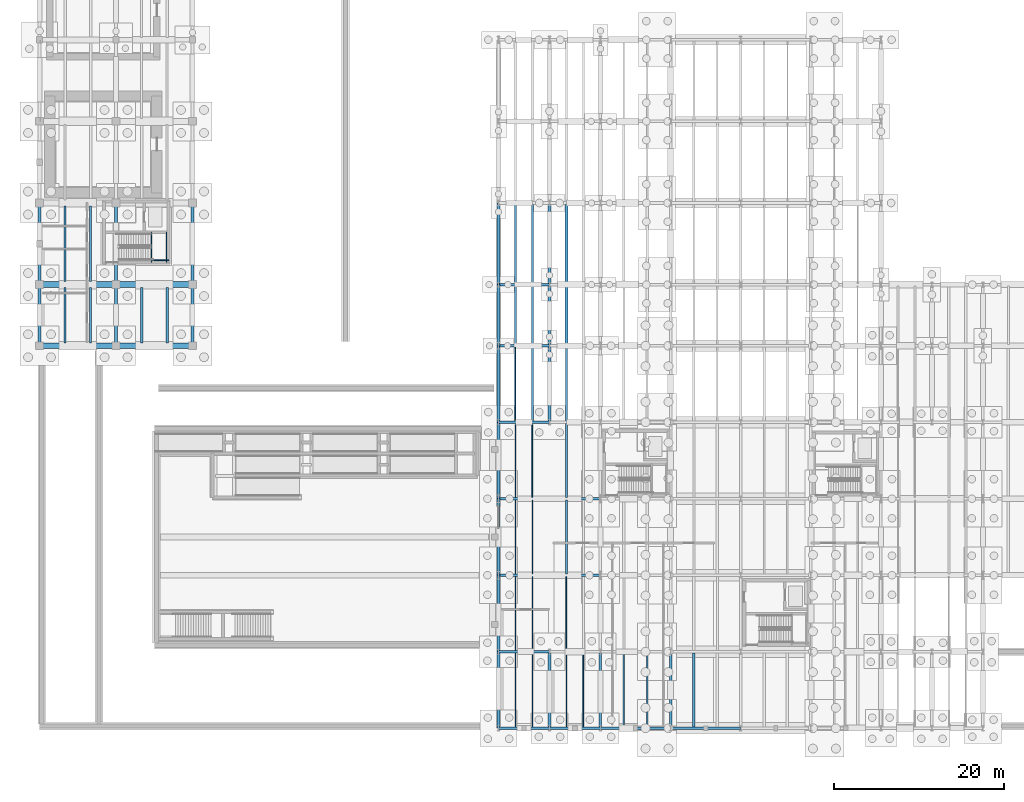
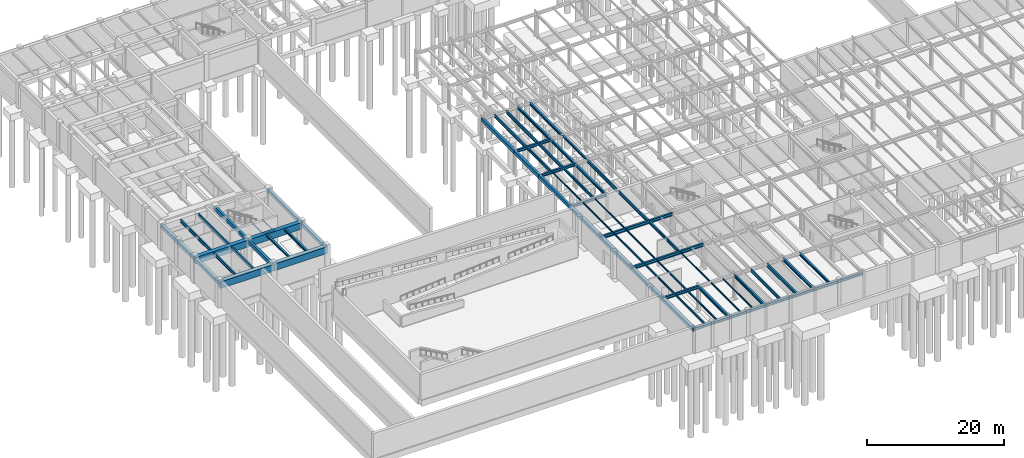
# One storey, part 28 of 59: 67 beams.
"""IFC4 building model written with IfcOpenShell, lengths in metres."""

from ifc_helpers import new_model, si_unit, direction, frame, origin, origin_2d, place, context, subcontext, project, spatial, rectangle, i_section, extrude, material, material_profile, profile_set, type_object, element, save


model = new_model("IFC4")

# Units and contexts
model_context = context("Model", 3, precision=1e-05, world=origin(), true_north=direction((0.0, 1.0)))
body_context = subcontext(model_context, "Body", "Model", "MODEL_VIEW")
ifc_project = project(units=[si_unit("LENGTHUNIT", "METRE"), si_unit("AREAUNIT", "SQUARE_METRE"), si_unit("VOLUMEUNIT", "CUBIC_METRE"), si_unit("PLANEANGLEUNIT", "RADIAN"), si_unit("MASSUNIT", "GRAM", prefix="KILO")], contexts=[model_context])

# Site, building, storey
site_placement = place(None, origin())
site = spatial("IfcSite", under=ifc_project, at=site_placement, CompositionType="ELEMENT")
building_placement = place(site_placement, origin())
building = spatial("IfcBuilding", under=site, at=building_placement, Name="Montealbar Specialist Clinic", CompositionType="ELEMENT")
storey_placement = place(building_placement, frame((0.0, 0.0, -4.800048828125)))
storey = spatial("IfcBuildingStorey", under=building, at=storey_placement, Name="B01", CompositionType="ELEMENT", Elevation=-4.800048828125)

# Beams
ifc_material_1 = material(Name="Steel S355", Category="steel")
ifc_material_profile_1 = material_profile(ifc_material_1, i_section(OverallWidth=0.300048828125, OverallDepth=0.449951171875, WebThickness=0.013916015625, FlangeThickness=0.02587890625, FilletRadius=0.027099609375, at=origin_2d()), Name="HEB 450", Category="steel")
ifc_profile_set_1 = profile_set([ifc_material_profile_1], Name="Steel S355")
beam_type_1 = type_object("IfcBeamType", Name="BM-GIRD-HEB450", PredefinedType="BEAM", material=ifc_profile_set_1)
beam_1_placement = place(storey_placement, frame((60.0, 45.0, 4.255126953125), z_axis=(0.0, 1.0, 0.0), x_axis=(-1.0, 0.0, 0.0)))
element("IfcBeam", 1, at=beam_1_placement, inside=storey, type_object=beam_type_1, Name="Beam GY-B01-600-450-522", PredefinedType="BEAM", context=body_context, shape_type="SweptSolid", body=[
    extrude(i_section(OverallWidth=0.300048828125, OverallDepth=0.449951171875, WebThickness=0.013916015625, FlangeThickness=0.02587890625, FilletRadius=0.027099609375, at=origin_2d()), origin(), (0.0, 0.0, 1.0), 7.199951171875),
])
ifc_material_profile_2 = material_profile(ifc_material_1, i_section(OverallWidth=0.300048828125, OverallDepth=0.5, WebThickness=0.014404296875, FlangeThickness=0.028076171875, FilletRadius=0.027099609375, at=origin_2d()), Name="HEB 500", Category="steel")
ifc_profile_set_2 = profile_set([ifc_material_profile_2], Name="Steel S355")
beam_type_2 = type_object("IfcBeamType", Name="BM-GIRD-HEB500", PredefinedType="BEAM", material=ifc_profile_set_2)
for number, where, z_axis, x_axis, name in (
    (2, (54.0, 9.0, 4.22998046875), (1.0, 0.0, 0.0), (0.0, 1.0, 0.0), "Beam GX-B01-540-600-90"),
    (3, (54.0, 36.0, 4.22998046875), (1.0, 0.0, 0.0), (0.0, 1.0, 0.0), "Beam GX-B01-540-600-360"),
    (4, (54.0, 45.0, 4.22998046875), (1.0, 0.0, 0.0), (0.0, 1.0, 0.0), "Beam GX-B01-540-600-450"),
    (5, (54.0, 52.199951171875, 4.22998046875), (1.0, 0.0, 0.0), (0.0, 1.0, 0.0), "Beam GX-B01-540-600-522"),
):
    element("IfcBeam", number, at=place(storey_placement, frame(where, z_axis=z_axis, x_axis=x_axis)), inside=storey, type_object=beam_type_2, Name=name, PredefinedType="BEAM", context=body_context, shape_type="SweptSolid", body=[
        extrude(i_section(OverallWidth=0.300048828125, OverallDepth=0.5, WebThickness=0.014404296875, FlangeThickness=0.028076171875, FilletRadius=0.027099609375, at=origin_2d()), origin(), (0.0, 0.0, 1.0), 6.0),
    ])
for number, where, z_axis, x_axis, name in (
    (6, (60.0, 0.0, 4.22998046875), (0.0, 1.0, 0.0), (-1.0, 0.0, 0.0), "Beam GY-B01-600-0-90"),
    (7, (60.0, 36.0, 4.22998046875), (0.0, 1.0, 0.0), (-1.0, 0.0, 0.0), "Beam GY-B01-600-360-450"),
):
    element("IfcBeam", number, at=place(storey_placement, frame(where, z_axis=z_axis, x_axis=x_axis)), inside=storey, type_object=beam_type_2, Name=name, PredefinedType="BEAM", context=body_context, shape_type="SweptSolid", body=[
        extrude(i_section(OverallWidth=0.300048828125, OverallDepth=0.5, WebThickness=0.014404296875, FlangeThickness=0.028076171875, FilletRadius=0.027099609375, at=origin_2d()), origin(), (0.0, 0.0, 1.0), 9.0),
    ])
beam_2_placement = place(storey_placement, frame((60.0, 52.199951171875, 4.22998046875), z_axis=(0.0, 1.0, 0.0), x_axis=(-1.0, 0.0, 0.0)))
element("IfcBeam", 8, at=beam_2_placement, inside=storey, type_object=beam_type_2, Name="Beam GY-B01-600-522-618", PredefinedType="BEAM", context=body_context, shape_type="SweptSolid", body=[
    extrude(i_section(OverallWidth=0.300048828125, OverallDepth=0.5, WebThickness=0.014404296875, FlangeThickness=0.028076171875, FilletRadius=0.027099609375, at=origin_2d()), origin(), (0.0, 0.0, 1.0), 9.60009765625),
])
for number, where, z_axis, x_axis, name in (
    (9, (66.0, 0.0, 4.22998046875), (0.0, 1.0, 0.0), (-1.0, 0.0, 0.0), "Beam GY-B01-660-0-90"),
    (10, (74.25, 0.0, 4.22998046875), (0.0, 1.0, 0.0), (-1.0, 0.0, 0.0), "Beam GY-B01-742-0-90"),
):
    element("IfcBeam", number, at=place(storey_placement, frame(where, z_axis=z_axis, x_axis=x_axis)), inside=storey, type_object=beam_type_2, Name=name, PredefinedType="BEAM", context=body_context, shape_type="SweptSolid", body=[
        extrude(i_section(OverallWidth=0.300048828125, OverallDepth=0.5, WebThickness=0.014404296875, FlangeThickness=0.028076171875, FilletRadius=0.027099609375, at=origin_2d()), origin(), (0.0, 0.0, 1.0), 9.0),
    ])
ifc_material_profile_3 = material_profile(ifc_material_1, i_section(OverallWidth=0.300048828125, OverallDepth=0.5, WebThickness=0.014404296875, FlangeThickness=0.028076171875, FilletRadius=0.027099609375, at=origin_2d()), Name="HEB 500", Category="steel")
ifc_profile_set_3 = profile_set([ifc_material_profile_3], Name="Steel S355")
beam_type_3 = type_object("IfcBeamType", Name="BM-GIRD-HEB500-EXT", PredefinedType="BEAM", material=ifc_profile_set_3)
for number, where, z_axis, x_axis, name in (
    (11, (54.0, 0.0, 4.22998046875), (1.0, 0.0, 0.0), (0.0, 1.0, 0.0), "Beam GX-B01-540-600-0"),
    (12, (60.0, 0.0, 4.22998046875), (1.0, 0.0, 0.0), (0.0, 1.0, 0.0), "Beam GX-B01-600-660-0"),
):
    element("IfcBeam", number, at=place(storey_placement, frame(where, z_axis=z_axis, x_axis=x_axis)), inside=storey, type_object=beam_type_3, Name=name, PredefinedType="BEAM", context=body_context, shape_type="SweptSolid", body=[
        extrude(i_section(OverallWidth=0.300048828125, OverallDepth=0.5, WebThickness=0.014404296875, FlangeThickness=0.028076171875, FilletRadius=0.027099609375, at=origin_2d()), origin(), (0.0, 0.0, 1.0), 6.0),
    ])
for number, where, z_axis, x_axis, name in (
    (13, (66.0, 0.0, 4.22998046875), (1.0, 0.0, 0.0), (0.0, 1.0, 0.0), "Beam GX-B01-660-742-0"),
    (14, (74.25, 0.0, 4.22998046875), (1.0, 0.0, 0.0), (0.0, 1.0, 0.0), "Beam GX-B01-742-825-0"),
):
    element("IfcBeam", number, at=place(storey_placement, frame(where, z_axis=z_axis, x_axis=x_axis)), inside=storey, type_object=beam_type_3, Name=name, PredefinedType="BEAM", context=body_context, shape_type="SweptSolid", body=[
        extrude(i_section(OverallWidth=0.300048828125, OverallDepth=0.5, WebThickness=0.014404296875, FlangeThickness=0.028076171875, FilletRadius=0.027099609375, at=origin_2d()), origin(), (0.0, 0.0, 1.0), 8.25),
    ])
ifc_material_profile_4 = material_profile(ifc_material_1, i_section(OverallWidth=0.300048828125, OverallDepth=0.550048828125, WebThickness=0.014892578125, FlangeThickness=0.029052734375, FilletRadius=0.027099609375, at=origin_2d()), Name="HEB 550", Category="steel")
ifc_profile_set_4 = profile_set([ifc_material_profile_4], Name="Steel S355")
beam_type_4 = type_object("IfcBeamType", Name="BM-GIRD-HEB550", PredefinedType="BEAM", material=ifc_profile_set_4)
for number, where, z_axis, x_axis, name in (
    (15, (54.0, 18.0, 4.205078125), (1.0, 0.0, 0.0), (0.0, 1.0, 0.0), "Beam GX-B01-540-660-180"),
    (16, (54.0, 27.0, 4.205078125), (1.0, 0.0, 0.0), (0.0, 1.0, 0.0), "Beam GX-B01-540-660-270"),
):
    element("IfcBeam", number, at=place(storey_placement, frame(where, z_axis=z_axis, x_axis=x_axis)), inside=storey, type_object=beam_type_4, Name=name, PredefinedType="BEAM", context=body_context, shape_type="SweptSolid", body=[
        extrude(i_section(OverallWidth=0.300048828125, OverallDepth=0.550048828125, WebThickness=0.014892578125, FlangeThickness=0.029052734375, FilletRadius=0.027099609375, at=origin_2d()), origin(), (0.0, 0.0, 1.0), 12.0),
    ])
ifc_material_profile_5 = material_profile(ifc_material_1, i_section(OverallWidth=0.300048828125, OverallDepth=0.35009765625, WebThickness=0.010009765625, FlangeThickness=0.017578125, FilletRadius=0.027099609375, at=origin_2d()), Name="HEA 360", Category="steel")
ifc_profile_set_5 = profile_set([ifc_material_profile_5], Name="Steel S355")
beam_type_5 = type_object("IfcBeamType", Name="BM-JST-HEA360", PredefinedType="JOIST", material=ifc_profile_set_5)
beam_3_placement = place(storey_placement, frame((12.0, 45.35009765625, 4.26513671875), z_axis=(0.0, 1.0, 0.0), x_axis=(-1.0, 0.0, 0.0)))
element("IfcBeam", 17, at=beam_3_placement, inside=storey, type_object=beam_type_5, Name="Beam JST-B01-120-454-518", PredefinedType="JOIST", context=body_context, shape_type="SweptSolid", body=[
    extrude(i_section(OverallWidth=0.300048828125, OverallDepth=0.35009765625, WebThickness=0.010009765625, FlangeThickness=0.017578125, FilletRadius=0.027099609375, at=origin_2d()), origin(), (0.0, 0.0, 1.0), 6.5),
])
beam_4_placement = place(storey_placement, frame((62.0, 45.14990234375, 4.304931640625), z_axis=(0.0, 1.0, 0.0), x_axis=(-1.0, 0.0, 0.0)))
element("IfcBeam", 18, at=beam_4_placement, inside=storey, type_object=beam_type_5, Name="Beam JST-B01-620-452-520", PredefinedType="JOIST", context=body_context, shape_type="SweptSolid", body=[
    extrude(i_section(OverallWidth=0.300048828125, OverallDepth=0.35009765625, WebThickness=0.010009765625, FlangeThickness=0.017578125, FilletRadius=0.027099609375, at=origin_2d()), origin(), (0.0, 0.0, 1.0), 6.900146484375),
])
ifc_material_profile_6 = material_profile(ifc_material_1, i_section(OverallWidth=0.300048828125, OverallDepth=0.43994140625, WebThickness=0.011474609375, FlangeThickness=0.02099609375, FilletRadius=0.027099609375, at=origin_2d()), Name="HEA 450", Category="steel")
ifc_profile_set_6 = profile_set([ifc_material_profile_6], Name="Steel S355")
beam_type_6 = type_object("IfcBeamType", Name="BM-JST-HEA450", PredefinedType="JOIST", material=ifc_profile_set_6)
beam_5_placement = place(storey_placement, frame((15.0, 45.35009765625, 4.219970703125), z_axis=(0.0, 1.0, 0.0), x_axis=(-1.0, 0.0, 0.0)))
element("IfcBeam", 19, at=beam_5_placement, inside=storey, type_object=beam_type_6, Name="Beam JST-B01-150-454-518", PredefinedType="JOIST", context=body_context, shape_type="SweptSolid", body=[
    extrude(i_section(OverallWidth=0.300048828125, OverallDepth=0.43994140625, WebThickness=0.011474609375, FlangeThickness=0.02099609375, FilletRadius=0.027099609375, at=origin_2d()), origin(), (0.0, 0.0, 1.0), 6.5),
])
beam_6_placement = place(storey_placement, frame((62.0, 52.35009765625, 4.260009765625), z_axis=(0.0, 1.0, 0.0), x_axis=(-1.0, 0.0, 0.0)))
element("IfcBeam", 20, at=beam_6_placement, inside=storey, type_object=beam_type_6, Name="Beam JST-B01-620-524-616", PredefinedType="JOIST", context=body_context, shape_type="SweptSolid", body=[
    extrude(i_section(OverallWidth=0.300048828125, OverallDepth=0.43994140625, WebThickness=0.011474609375, FlangeThickness=0.02099609375, FilletRadius=0.027099609375, at=origin_2d()), origin(), (0.0, 0.0, 1.0), 9.2998046875),
])
beam_7_placement = place(storey_placement, frame((77.0, 0.14990234375, 4.260009765625), z_axis=(0.0, 1.0, 0.0), x_axis=(-1.0, 0.0, 0.0)))
element("IfcBeam", 21, at=beam_7_placement, inside=storey, type_object=beam_type_6, Name="Beam JST-B01-770-2-88", PredefinedType="JOIST", context=body_context, shape_type="SweptSolid", body=[
    extrude(i_section(OverallWidth=0.300048828125, OverallDepth=0.43994140625, WebThickness=0.011474609375, FlangeThickness=0.02099609375, FilletRadius=0.027099609375, at=origin_2d()), origin(), (0.0, 0.0, 1.0), 8.7001953125),
])
ifc_material_profile_7 = material_profile(ifc_material_1, i_section(OverallWidth=0.1201171875, OverallDepth=0.239990234375, WebThickness=0.006103515625, FlangeThickness=0.009765625, FilletRadius=0.014892578125, at=origin_2d()), Name="IPE 240", Category="steel")
ifc_profile_set_7 = profile_set([ifc_material_profile_7], Name="Steel S355")
beam_type_7 = type_object("IfcBeamType", Name="BM-JST-IPE240", PredefinedType="JOIST", material=ifc_profile_set_7)
for number, where, z_axis, x_axis, name in (
    (22, (58.0, 27.14990234375, 4.360107421875), (0.0, 1.0, 0.0), (-1.0, 0.0, 0.0), "Beam JST-B01-580-272-358"),
    (23, (56.0, 36.14990234375, 4.360107421875), (0.0, 1.0, 0.0), (-1.0, 0.0, 0.0), "Beam JST-B01-560-362-448"),
    (24, (64.0, 0.14990234375, 4.360107421875), (0.0, 1.0, 0.0), (-1.0, 0.0, 0.0), "Beam JST-B01-640-2-88"),
    (25, (62.0, 9.14990234375, 4.360107421875), (0.0, 1.0, 0.0), (-1.0, 0.0, 0.0), "Beam JST-B01-620-92-178"),
):
    element("IfcBeam", number, at=place(storey_placement, frame(where, z_axis=z_axis, x_axis=x_axis)), inside=storey, type_object=beam_type_7, Name=name, PredefinedType="JOIST", context=body_context, shape_type="SweptSolid", body=[
        extrude(i_section(OverallWidth=0.1201171875, OverallDepth=0.239990234375, WebThickness=0.006103515625, FlangeThickness=0.009765625, FilletRadius=0.014892578125, at=origin_2d()), origin(), (0.0, 0.0, 1.0), 8.7001953125),
    ])
ifc_material_profile_8 = material_profile(ifc_material_1, i_section(OverallWidth=0.135009765625, OverallDepth=0.27001953125, WebThickness=0.006591796875, FlangeThickness=0.01025390625, FilletRadius=0.014892578125, at=origin_2d()), Name="IPE 270", Category="steel")
ifc_profile_set_8 = profile_set([ifc_material_profile_8], Name="Steel S355")
beam_type_8 = type_object("IfcBeamType", Name="BM-JST-IPE270", PredefinedType="JOIST", material=ifc_profile_set_8)
for number, where, z_axis, x_axis, name in (
    (26, (58.0, 18.14990234375, 4.344970703125), (0.0, 1.0, 0.0), (-1.0, 0.0, 0.0), "Beam JST-B01-580-182-268"),
    (27, (56.0, 27.14990234375, 4.344970703125), (0.0, 1.0, 0.0), (-1.0, 0.0, 0.0), "Beam JST-B01-560-272-358"),
    (28, (62.0, 0.14990234375, 4.344970703125), (0.0, 1.0, 0.0), (-1.0, 0.0, 0.0), "Beam JST-B01-620-2-88"),
):
    element("IfcBeam", number, at=place(storey_placement, frame(where, z_axis=z_axis, x_axis=x_axis)), inside=storey, type_object=beam_type_8, Name=name, PredefinedType="JOIST", context=body_context, shape_type="SweptSolid", body=[
        extrude(i_section(OverallWidth=0.135009765625, OverallDepth=0.27001953125, WebThickness=0.006591796875, FlangeThickness=0.01025390625, FilletRadius=0.014892578125, at=origin_2d()), origin(), (0.0, 0.0, 1.0), 8.7001953125),
    ])
ifc_material_profile_9 = material_profile(ifc_material_1, i_section(OverallWidth=0.14990234375, OverallDepth=0.300048828125, WebThickness=0.007080078125, FlangeThickness=0.0107421875, FilletRadius=0.014892578125, at=origin_2d()), Name="IPE 300", Category="steel")
ifc_profile_set_9 = profile_set([ifc_material_profile_9], Name="Steel S355")
beam_type_9 = type_object("IfcBeamType", Name="BM-JST-IPE300", PredefinedType="JOIST", material=ifc_profile_set_9)
for number, where, z_axis, x_axis, name in (
    (29, (58.0, 9.14990234375, 4.330078125), (0.0, 1.0, 0.0), (-1.0, 0.0, 0.0), "Beam JST-B01-580-92-178"),
    (30, (56.0, 18.14990234375, 4.330078125), (0.0, 1.0, 0.0), (-1.0, 0.0, 0.0), "Beam JST-B01-560-182-268"),
):
    element("IfcBeam", number, at=place(storey_placement, frame(where, z_axis=z_axis, x_axis=x_axis)), inside=storey, type_object=beam_type_9, Name=name, PredefinedType="JOIST", context=body_context, shape_type="SweptSolid", body=[
        extrude(i_section(OverallWidth=0.14990234375, OverallDepth=0.300048828125, WebThickness=0.007080078125, FlangeThickness=0.0107421875, FilletRadius=0.014892578125, at=origin_2d()), origin(), (0.0, 0.0, 1.0), 8.7001953125),
    ])
ifc_material_profile_10 = material_profile(ifc_material_1, i_section(OverallWidth=0.159912109375, OverallDepth=0.330078125, WebThickness=0.007568359375, FlangeThickness=0.011474609375, FilletRadius=0.01806640625, at=origin_2d()), Name="IPE 330", Category="steel")
ifc_profile_set_10 = profile_set([ifc_material_profile_10], Name="Steel S355")
beam_type_10 = type_object("IfcBeamType", Name="BM-JST-IPE330", PredefinedType="JOIST", material=ifc_profile_set_10)
for number, where, z_axis, x_axis, name in (
    (31, (58.0, 0.14990234375, 4.31494140625), (0.0, 1.0, 0.0), (-1.0, 0.0, 0.0), "Beam JST-B01-580-2-88"),
    (32, (56.0, 9.14990234375, 4.31494140625), (0.0, 1.0, 0.0), (-1.0, 0.0, 0.0), "Beam JST-B01-560-92-178"),
):
    element("IfcBeam", number, at=place(storey_placement, frame(where, z_axis=z_axis, x_axis=x_axis)), inside=storey, type_object=beam_type_10, Name=name, PredefinedType="JOIST", context=body_context, shape_type="SweptSolid", body=[
        extrude(i_section(OverallWidth=0.159912109375, OverallDepth=0.330078125, WebThickness=0.007568359375, FlangeThickness=0.011474609375, FilletRadius=0.01806640625, at=origin_2d()), origin(), (0.0, 0.0, 1.0), 8.7001953125),
    ])
ifc_material_profile_11 = material_profile(ifc_material_1, i_section(OverallWidth=0.169921875, OverallDepth=0.360107421875, WebThickness=0.008056640625, FlangeThickness=0.0126953125, FilletRadius=0.01806640625, at=origin_2d()), Name="IPE 360", Category="steel")
ifc_profile_set_11 = profile_set([ifc_material_profile_11], Name="Steel S355")
beam_type_11 = type_object("IfcBeamType", Name="BM-JST-IPE360", PredefinedType="JOIST", material=ifc_profile_set_11)
beam_8_placement = place(storey_placement, frame((56.0, 0.14990234375, 4.300048828125), z_axis=(0.0, 1.0, 0.0), x_axis=(-1.0, 0.0, 0.0)))
element("IfcBeam", 33, at=beam_8_placement, inside=storey, type_object=beam_type_11, Name="Beam JST-B01-560-2-88", PredefinedType="JOIST", context=body_context, shape_type="SweptSolid", body=[
    extrude(i_section(OverallWidth=0.169921875, OverallDepth=0.360107421875, WebThickness=0.008056640625, FlangeThickness=0.0126953125, FilletRadius=0.01806640625, at=origin_2d()), origin(), (0.0, 0.0, 1.0), 8.7001953125),
])
ifc_material_profile_12 = material_profile(ifc_material_1, i_section(OverallWidth=0.199951171875, OverallDepth=0.5, WebThickness=0.01025390625, FlangeThickness=0.01611328125, FilletRadius=0.02099609375, at=origin_2d()), Name="IPE 500", Category="steel")
ifc_profile_set_12 = profile_set([ifc_material_profile_12], Name="Steel S355")
beam_type_12 = type_object("IfcBeamType", Name="BM-JST-IPE500", PredefinedType="JOIST", material=ifc_profile_set_12)
beam_9_placement = place(storey_placement, frame((3.0, 45.35009765625, 4.18994140625), z_axis=(0.0, 1.0, 0.0), x_axis=(-1.0, 0.0, 0.0)))
element("IfcBeam", 34, at=beam_9_placement, inside=storey, type_object=beam_type_12, Name="Beam JST-B01-30-454-518", PredefinedType="JOIST", context=body_context, shape_type="SweptSolid", body=[
    extrude(i_section(OverallWidth=0.199951171875, OverallDepth=0.5, WebThickness=0.01025390625, FlangeThickness=0.01611328125, FilletRadius=0.02099609375, at=origin_2d()), origin(), (0.0, 0.0, 1.0), 6.5),
])
beam_10_placement = place(storey_placement, frame((58.0, 36.14990234375, 4.22998046875), z_axis=(0.0, 1.0, 0.0), x_axis=(-1.0, 0.0, 0.0)))
element("IfcBeam", 35, at=beam_10_placement, inside=storey, type_object=beam_type_12, Name="Beam JST-B01-580-362-448", PredefinedType="JOIST", context=body_context, shape_type="SweptSolid", body=[
    extrude(i_section(OverallWidth=0.199951171875, OverallDepth=0.5, WebThickness=0.01025390625, FlangeThickness=0.01611328125, FilletRadius=0.02099609375, at=origin_2d()), origin(), (0.0, 0.0, 1.0), 8.7001953125),
])
beam_11_placement = place(storey_placement, frame((56.0, 45.14990234375, 4.22998046875), z_axis=(0.0, 1.0, 0.0), x_axis=(-1.0, 0.0, 0.0)))
element("IfcBeam", 36, at=beam_11_placement, inside=storey, type_object=beam_type_12, Name="Beam JST-B01-560-452-520", PredefinedType="JOIST", context=body_context, shape_type="SweptSolid", body=[
    extrude(i_section(OverallWidth=0.199951171875, OverallDepth=0.5, WebThickness=0.01025390625, FlangeThickness=0.01611328125, FilletRadius=0.02099609375, at=origin_2d()), origin(), (0.0, 0.0, 1.0), 6.900146484375),
])
beam_12_placement = place(storey_placement, frame((62.0, 18.14990234375, 4.22998046875), z_axis=(0.0, 1.0, 0.0), x_axis=(-1.0, 0.0, 0.0)))
element("IfcBeam", 37, at=beam_12_placement, inside=storey, type_object=beam_type_12, Name="Beam JST-B01-620-182-268", PredefinedType="JOIST", context=body_context, shape_type="SweptSolid", body=[
    extrude(i_section(OverallWidth=0.199951171875, OverallDepth=0.5, WebThickness=0.01025390625, FlangeThickness=0.01611328125, FilletRadius=0.02099609375, at=origin_2d()), origin(), (0.0, 0.0, 1.0), 8.7001953125),
])
ifc_material_profile_13 = material_profile(ifc_material_1, i_section(OverallWidth=0.2099609375, OverallDepth=0.550048828125, WebThickness=0.010986328125, FlangeThickness=0.01708984375, FilletRadius=0.02392578125, at=origin_2d()), Name="IPE 550", Category="steel")
ifc_profile_set_13 = profile_set([ifc_material_profile_13], Name="Steel S355")
beam_type_13 = type_object("IfcBeamType", Name="BM-JST-IPE550", PredefinedType="JOIST", material=ifc_profile_set_13)
beam_13_placement = place(storey_placement, frame((6.0, 45.35009765625, 4.1650390625), z_axis=(0.0, 1.0, 0.0), x_axis=(-1.0, 0.0, 0.0)))
element("IfcBeam", 38, at=beam_13_placement, inside=storey, type_object=beam_type_13, Name="Beam JST-B01-60-454-518", PredefinedType="JOIST", context=body_context, shape_type="SweptSolid", body=[
    extrude(i_section(OverallWidth=0.2099609375, OverallDepth=0.550048828125, WebThickness=0.010986328125, FlangeThickness=0.01708984375, FilletRadius=0.02392578125, at=origin_2d()), origin(), (0.0, 0.0, 1.0), 6.5),
])
beam_14_placement = place(storey_placement, frame((3.0, 52.550048828125, 4.1650390625), z_axis=(0.0, 1.0, 0.0), x_axis=(-1.0, 0.0, 0.0)))
element("IfcBeam", 39, at=beam_14_placement, inside=storey, type_object=beam_type_13, Name="Beam JST-B01-30-526-614", PredefinedType="JOIST", context=body_context, shape_type="SweptSolid", body=[
    extrude(i_section(OverallWidth=0.2099609375, OverallDepth=0.550048828125, WebThickness=0.010986328125, FlangeThickness=0.01708984375, FilletRadius=0.02392578125, at=origin_2d()), origin(), (0.0, 0.0, 1.0), 8.89990234375),
])
beam_15_placement = place(storey_placement, frame((58.0, 45.14990234375, 4.205078125), z_axis=(0.0, 1.0, 0.0), x_axis=(-1.0, 0.0, 0.0)))
element("IfcBeam", 40, at=beam_15_placement, inside=storey, type_object=beam_type_13, Name="Beam JST-B01-580-452-520", PredefinedType="JOIST", context=body_context, shape_type="SweptSolid", body=[
    extrude(i_section(OverallWidth=0.2099609375, OverallDepth=0.550048828125, WebThickness=0.010986328125, FlangeThickness=0.01708984375, FilletRadius=0.02392578125, at=origin_2d()), origin(), (0.0, 0.0, 1.0), 6.900146484375),
])
beam_16_placement = place(storey_placement, frame((56.0, 52.35009765625, 4.205078125), z_axis=(0.0, 1.0, 0.0), x_axis=(-1.0, 0.0, 0.0)))
element("IfcBeam", 41, at=beam_16_placement, inside=storey, type_object=beam_type_13, Name="Beam JST-B01-560-524-616", PredefinedType="JOIST", context=body_context, shape_type="SweptSolid", body=[
    extrude(i_section(OverallWidth=0.2099609375, OverallDepth=0.550048828125, WebThickness=0.010986328125, FlangeThickness=0.01708984375, FilletRadius=0.02392578125, at=origin_2d()), origin(), (0.0, 0.0, 1.0), 9.2998046875),
])
for number, where, z_axis, x_axis, name in (
    (42, (62.0, 27.14990234375, 4.205078125), (0.0, 1.0, 0.0), (-1.0, 0.0, 0.0), "Beam JST-B01-620-272-358"),
    (43, (68.75, 0.14990234375, 4.205078125), (0.0, 1.0, 0.0), (-1.0, 0.0, 0.0), "Beam JST-B01-688-2-88"),
):
    element("IfcBeam", number, at=place(storey_placement, frame(where, z_axis=z_axis, x_axis=x_axis)), inside=storey, type_object=beam_type_13, Name=name, PredefinedType="JOIST", context=body_context, shape_type="SweptSolid", body=[
        extrude(i_section(OverallWidth=0.2099609375, OverallDepth=0.550048828125, WebThickness=0.010986328125, FlangeThickness=0.01708984375, FilletRadius=0.02392578125, at=origin_2d()), origin(), (0.0, 0.0, 1.0), 8.7001953125),
    ])
ifc_material_profile_14 = material_profile(ifc_material_1, i_section(OverallWidth=0.219970703125, OverallDepth=0.60009765625, WebThickness=0.011962890625, FlangeThickness=0.01904296875, FilletRadius=0.02392578125, at=origin_2d()), Name="IPE 600", Category="steel")
ifc_profile_set_14 = profile_set([ifc_material_profile_14], Name="Steel S355")
beam_type_14 = type_object("IfcBeamType", Name="BM-JST-IPE600", PredefinedType="JOIST", material=ifc_profile_set_14)
beam_17_placement = place(storey_placement, frame((6.0, 52.550048828125, 4.14013671875), z_axis=(0.0, 1.0, 0.0), x_axis=(-1.0, 0.0, 0.0)))
element("IfcBeam", 44, at=beam_17_placement, inside=storey, type_object=beam_type_14, Name="Beam JST-B01-60-526-614", PredefinedType="JOIST", context=body_context, shape_type="SweptSolid", body=[
    extrude(i_section(OverallWidth=0.219970703125, OverallDepth=0.60009765625, WebThickness=0.011962890625, FlangeThickness=0.01904296875, FilletRadius=0.02392578125, at=origin_2d()), origin(), (0.0, 0.0, 1.0), 8.89990234375),
])
beam_18_placement = place(storey_placement, frame((58.0, 52.35009765625, 4.179931640625), z_axis=(0.0, 1.0, 0.0), x_axis=(-1.0, 0.0, 0.0)))
element("IfcBeam", 45, at=beam_18_placement, inside=storey, type_object=beam_type_14, Name="Beam JST-B01-580-524-616", PredefinedType="JOIST", context=body_context, shape_type="SweptSolid", body=[
    extrude(i_section(OverallWidth=0.219970703125, OverallDepth=0.60009765625, WebThickness=0.011962890625, FlangeThickness=0.01904296875, FilletRadius=0.02392578125, at=origin_2d()), origin(), (0.0, 0.0, 1.0), 9.2998046875),
])
for number, where, z_axis, x_axis, name in (
    (46, (62.0, 36.14990234375, 4.179931640625), (0.0, 1.0, 0.0), (-1.0, 0.0, 0.0), "Beam JST-B01-620-362-448"),
    (47, (71.5, 0.14990234375, 4.179931640625), (0.0, 1.0, 0.0), (-1.0, 0.0, 0.0), "Beam JST-B01-715-2-88"),
):
    element("IfcBeam", number, at=place(storey_placement, frame(where, z_axis=z_axis, x_axis=x_axis)), inside=storey, type_object=beam_type_14, Name=name, PredefinedType="JOIST", context=body_context, shape_type="SweptSolid", body=[
        extrude(i_section(OverallWidth=0.219970703125, OverallDepth=0.60009765625, WebThickness=0.011962890625, FlangeThickness=0.01904296875, FilletRadius=0.02392578125, at=origin_2d()), origin(), (0.0, 0.0, 1.0), 8.7001953125),
    ])
ifc_material_profile_15 = material_profile(ifc_material_1, i_section(OverallWidth=0.10009765625, OverallDepth=0.199951171875, WebThickness=0.005615234375, FlangeThickness=0.008544921875, FilletRadius=0.011962890625, at=origin_2d()), Name="IPE 200", Category="steel")
ifc_profile_set_15 = profile_set([ifc_material_profile_15], Name="Steel S355")
beam_type_15 = type_object("IfcBeamType", Name="BM-LINT-IPE200", PredefinedType="LINTEL", material=ifc_profile_set_15)
for number, where, z_axis, x_axis, name in (
    (48, (13.175048828125, 54.800048828125, 2.10009765625), (0.0, 1.0, 0.0), (-1.0, 0.0, 0.0), "Core C1 Stair Landing Beam B01 W"),
    (49, (14.929931640625, 54.800048828125, 2.10009765625), (0.0, 1.0, 0.0), (-1.0, 0.0, 0.0), "Core C1 Stair Landing Beam B01 E"),
):
    element("IfcBeam", number, at=place(storey_placement, frame(where, z_axis=z_axis, x_axis=x_axis)), inside=storey, type_object=beam_type_15, Name=name, PredefinedType="LINTEL", context=body_context, shape_type="SweptSolid", body=[
        extrude(i_section(OverallWidth=0.10009765625, OverallDepth=0.199951171875, WebThickness=0.005615234375, FlangeThickness=0.008544921875, FilletRadius=0.011962890625, at=origin_2d()), origin(), (0.0, 0.0, 1.0), 3.550048828125),
    ])
beam_19_placement = place(storey_placement, frame((13.175048828125, 55.050048828125, 2.10009765625), z_axis=(1.0, 0.0, 0.0), x_axis=(0.0, 1.0, 0.0)))
element("IfcBeam", 50, at=beam_19_placement, inside=storey, type_object=beam_type_15, Name="Core C1 Stair Landing Tie Beam B01", PredefinedType="LINTEL", context=body_context, shape_type="SweptSolid", body=[
    extrude(i_section(OverallWidth=0.10009765625, OverallDepth=0.199951171875, WebThickness=0.005615234375, FlangeThickness=0.008544921875, FilletRadius=0.011962890625, at=origin_2d()), origin(), (0.0, 0.0, 1.0), 2.02490234375),
])
ifc_material_2 = material(Name="Concrete C35/45", Category="concrete")
ifc_material_profile_16 = material_profile(ifc_material_2, rectangle(XDim=0.39990234375, YDim=0.64990234375, at=origin_2d()), Name="RC 400x650", Category="concrete")
ifc_profile_set_16 = profile_set([ifc_material_profile_16], Name="Concrete C35/45")
beam_type_16 = type_object("IfcBeamType", Name="BM-RC-400x650", PredefinedType="BEAM", material=ifc_profile_set_16)
beam_20_placement = place(storey_placement, frame((9.0, 45.0, 4.114990234375), z_axis=(0.0, 1.0, 0.0), x_axis=(-1.0, 0.0, 0.0)))
element("IfcBeam", 51, at=beam_20_placement, inside=storey, type_object=beam_type_16, Name="Beam GY-B01-90-450-522", PredefinedType="BEAM", context=body_context, shape_type="SweptSolid", body=[
    extrude(rectangle(XDim=0.39990234375, YDim=0.64990234375, at=origin_2d()), origin(), (0.0, 0.0, 1.0), 7.199951171875),
])
beam_21_placement = place(storey_placement, frame((9.0, 52.199951171875, 4.114990234375), z_axis=(0.0, 1.0, 0.0), x_axis=(-1.0, 0.0, 0.0)))
element("IfcBeam", 52, at=beam_21_placement, inside=storey, type_object=beam_type_16, Name="Beam GY-B01-90-522-618", PredefinedType="BEAM", context=body_context, shape_type="SweptSolid", body=[
    extrude(rectangle(XDim=0.39990234375, YDim=0.64990234375, at=origin_2d()), origin(), (0.0, 0.0, 1.0), 9.60009765625),
])
ifc_material_profile_17 = material_profile(ifc_material_2, rectangle(XDim=0.39990234375, YDim=0.64990234375, at=origin_2d()), Name="RC 400x650", Category="concrete")
ifc_profile_set_17 = profile_set([ifc_material_profile_17], Name="Concrete C35/45")
beam_type_17 = type_object("IfcBeamType", Name="BM-RC-400x650-EXT", PredefinedType="BEAM", material=ifc_profile_set_17)
beam_22_placement = place(storey_placement, frame((0.0, 45.0, 4.114990234375), z_axis=(0.0, 1.0, 0.0), x_axis=(-1.0, 0.0, 0.0)))
element("IfcBeam", 53, at=beam_22_placement, inside=storey, type_object=beam_type_17, Name="Beam GY-B01-0-450-522", PredefinedType="BEAM", context=body_context, shape_type="SweptSolid", body=[
    extrude(rectangle(XDim=0.39990234375, YDim=0.64990234375, at=origin_2d()), origin(), (0.0, 0.0, 1.0), 7.199951171875),
])
beam_23_placement = place(storey_placement, frame((0.0, 52.199951171875, 4.114990234375), z_axis=(0.0, 1.0, 0.0), x_axis=(-1.0, 0.0, 0.0)))
element("IfcBeam", 54, at=beam_23_placement, inside=storey, type_object=beam_type_17, Name="Beam GY-B01-0-522-618", PredefinedType="BEAM", context=body_context, shape_type="SweptSolid", body=[
    extrude(rectangle(XDim=0.39990234375, YDim=0.64990234375, at=origin_2d()), origin(), (0.0, 0.0, 1.0), 9.60009765625),
])
beam_24_placement = place(storey_placement, frame((18.0, 45.0, 4.114990234375), z_axis=(0.0, 1.0, 0.0), x_axis=(-1.0, 0.0, 0.0)))
element("IfcBeam", 55, at=beam_24_placement, inside=storey, type_object=beam_type_17, Name="Beam GY-B01-180-450-522", PredefinedType="BEAM", context=body_context, shape_type="SweptSolid", body=[
    extrude(rectangle(XDim=0.39990234375, YDim=0.64990234375, at=origin_2d()), origin(), (0.0, 0.0, 1.0), 7.199951171875),
])
beam_25_placement = place(storey_placement, frame((18.0, 52.199951171875, 4.114990234375), z_axis=(0.0, 1.0, 0.0), x_axis=(-1.0, 0.0, 0.0)))
element("IfcBeam", 56, at=beam_25_placement, inside=storey, type_object=beam_type_17, Name="Beam GY-B01-180-522-618", PredefinedType="BEAM", context=body_context, shape_type="SweptSolid", body=[
    extrude(rectangle(XDim=0.39990234375, YDim=0.64990234375, at=origin_2d()), origin(), (0.0, 0.0, 1.0), 9.60009765625),
])
for number, where, z_axis, x_axis, name in (
    (57, (54.0, 0.0, 4.155029296875), (0.0, 1.0, 0.0), (-1.0, 0.0, 0.0), "Beam GY-B01-540-0-90"),
    (58, (54.0, 9.0, 4.155029296875), (0.0, 1.0, 0.0), (-1.0, 0.0, 0.0), "Beam GY-B01-540-90-180"),
    (59, (54.0, 18.0, 4.155029296875), (0.0, 1.0, 0.0), (-1.0, 0.0, 0.0), "Beam GY-B01-540-180-270"),
    (60, (54.0, 27.0, 4.155029296875), (0.0, 1.0, 0.0), (-1.0, 0.0, 0.0), "Beam GY-B01-540-270-360"),
    (61, (54.0, 36.0, 4.155029296875), (0.0, 1.0, 0.0), (-1.0, 0.0, 0.0), "Beam GY-B01-540-360-450"),
):
    element("IfcBeam", number, at=place(storey_placement, frame(where, z_axis=z_axis, x_axis=x_axis)), inside=storey, type_object=beam_type_17, Name=name, PredefinedType="BEAM", context=body_context, shape_type="SweptSolid", body=[
        extrude(rectangle(XDim=0.39990234375, YDim=0.64990234375, at=origin_2d()), origin(), (0.0, 0.0, 1.0), 9.0),
    ])
beam_26_placement = place(storey_placement, frame((54.0, 45.0, 4.155029296875), z_axis=(0.0, 1.0, 0.0), x_axis=(-1.0, 0.0, 0.0)))
element("IfcBeam", 62, at=beam_26_placement, inside=storey, type_object=beam_type_17, Name="Beam GY-B01-540-450-522", PredefinedType="BEAM", context=body_context, shape_type="SweptSolid", body=[
    extrude(rectangle(XDim=0.39990234375, YDim=0.64990234375, at=origin_2d()), origin(), (0.0, 0.0, 1.0), 7.199951171875),
])
beam_27_placement = place(storey_placement, frame((54.0, 52.199951171875, 4.155029296875), z_axis=(0.0, 1.0, 0.0), x_axis=(-1.0, 0.0, 0.0)))
element("IfcBeam", 63, at=beam_27_placement, inside=storey, type_object=beam_type_17, Name="Beam GY-B01-540-522-618", PredefinedType="BEAM", context=body_context, shape_type="SweptSolid", body=[
    extrude(rectangle(XDim=0.39990234375, YDim=0.64990234375, at=origin_2d()), origin(), (0.0, 0.0, 1.0), 9.60009765625),
])
ifc_material_profile_18 = material_profile(ifc_material_2, rectangle(XDim=0.699951171875, YDim=1.199951171875, at=origin_2d()), Name="RC 700x1200", Category="concrete")
ifc_profile_set_18 = profile_set([ifc_material_profile_18], Name="Concrete C35/45")
beam_type_18 = type_object("IfcBeamType", Name="BM-RC-700x1200", PredefinedType="BEAM", material=ifc_profile_set_18)
for number, where, z_axis, x_axis, name in (
    (64, (0.0, 52.199951171875, 3.840087890625), (1.0, 0.0, 0.0), (0.0, 1.0, 0.0), "Beam GX-B01-0-90-522"),
    (65, (9.0, 52.199951171875, 3.840087890625), (1.0, 0.0, 0.0), (0.0, 1.0, 0.0), "Beam GX-B01-90-180-522"),
):
    element("IfcBeam", number, at=place(storey_placement, frame(where, z_axis=z_axis, x_axis=x_axis)), inside=storey, type_object=beam_type_18, Name=name, PredefinedType="BEAM", context=body_context, shape_type="SweptSolid", body=[
        extrude(rectangle(XDim=0.699951171875, YDim=1.199951171875, at=origin_2d()), origin(), (0.0, 0.0, 1.0), 9.0),
    ])
ifc_material_profile_19 = material_profile(ifc_material_2, rectangle(XDim=0.699951171875, YDim=1.199951171875, at=origin_2d()), Name="RC 700x1200", Category="concrete")
ifc_profile_set_19 = profile_set([ifc_material_profile_19], Name="Concrete C35/45")
beam_type_19 = type_object("IfcBeamType", Name="BM-RC-700x1200-EXT", PredefinedType="BEAM", material=ifc_profile_set_19)
for number, where, z_axis, x_axis, name in (
    (66, (0.0, 45.0, 3.840087890625), (1.0, 0.0, 0.0), (0.0, 1.0, 0.0), "Beam GX-B01-0-90-450"),
    (67, (9.0, 45.0, 3.840087890625), (1.0, 0.0, 0.0), (0.0, 1.0, 0.0), "Beam GX-B01-90-180-450"),
):
    element("IfcBeam", number, at=place(storey_placement, frame(where, z_axis=z_axis, x_axis=x_axis)), inside=storey, type_object=beam_type_19, Name=name, PredefinedType="BEAM", context=body_context, shape_type="SweptSolid", body=[
        extrude(rectangle(XDim=0.699951171875, YDim=1.199951171875, at=origin_2d()), origin(), (0.0, 0.0, 1.0), 9.0),
    ])

save(model, "model.ifc")
